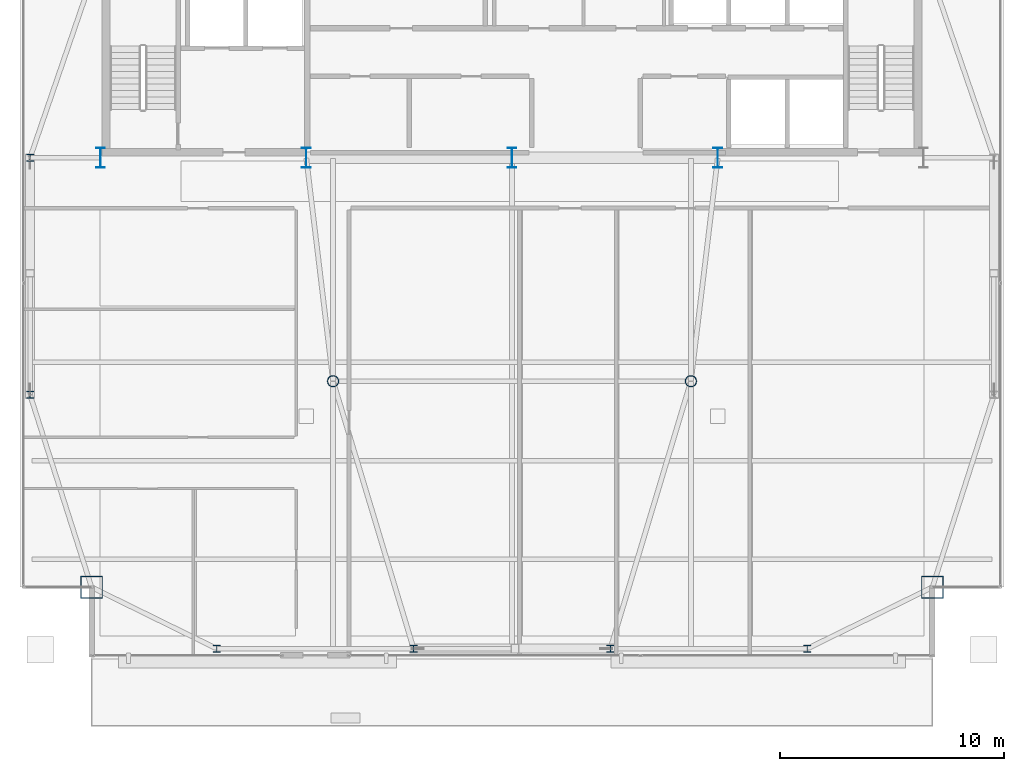
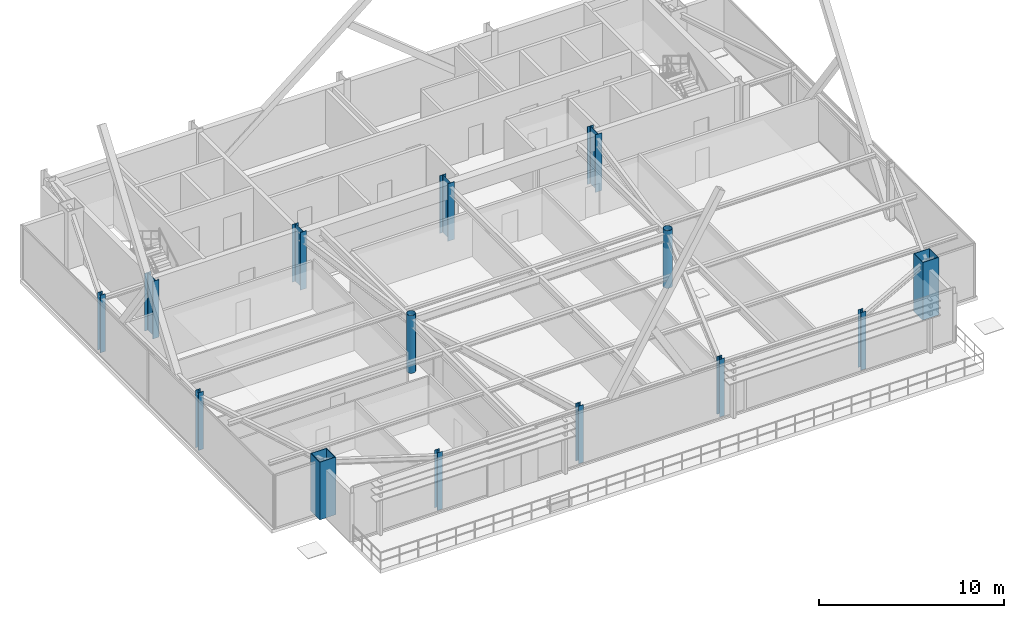
# One storey, part 1 of 25: 14 columns.
"""IFC4 building model written with IfcOpenShell, lengths in metres."""

import ifcopenshell
import ifcopenshell.guid

model = None  # the IFC model being written
_history = None  # IfcOwnerHistory: only IFC2X3 demands one
_inside = {}  # id of a spatial element -> (the spatial element, [elements in it])
_under = {}  # id of a project, library or spatial element -> (it, [spatial elements below it])
_declared = {}  # id of a project -> (the project, [libraries it declares])
_typed = {}  # id of a type object -> (the type object, [elements of that type])
_made_of = {}  # id of a material, layer set ... -> (it, [elements and type objects made of it])


def new_model(schema):
    """Start an empty IFC model of exactly this schema.

    Asked for "IFC4X3", IfcOpenShell would pick the latest addendum, in which some entities
    have other attributes; the version numbers below select the first issue.
    IFC2X3 requires an IfcOwnerHistory on every rooted entity: one is made here for all.
    """
    global model, _history
    if schema == "IFC4X3":
        model = ifcopenshell.file(schema_version=(4, 3, 0, 0))
    else:
        model = ifcopenshell.file(schema=schema)
    _inside.clear()
    _under.clear()
    _declared.clear()
    _typed.clear()
    _made_of.clear()
    _history = None
    if model.schema == "IFC2X3":
        org = make("IfcOrganization", Name="unknown")
        user = make(
            "IfcPersonAndOrganization",
            ThePerson=make("IfcPerson", FamilyName="unknown"),
            TheOrganization=org,
        )
        app = make(
            "IfcApplication",
            ApplicationDeveloper=org,
            Version="unknown",
            ApplicationFullName="unknown",
            ApplicationIdentifier="unknown",
        )
        _history = make(
            "IfcOwnerHistory",
            OwningUser=user,
            OwningApplication=app,
            ChangeAction="ADDED",
            CreationDate=0,
        )
    return model


def make(cls, **values):
    """One entity of the class cls with the attributes given. An attribute that is None is left unset."""
    return model.create_entity(
        cls, **{name: value for name, value in values.items() if value is not None}
    )


def rooted(cls, **values):
    """An entity with a GlobalId (a new one), such as an element, a storey or a relation."""
    return make(cls, GlobalId=ifcopenshell.guid.new(), OwnerHistory=_history, **values)


def si_unit(unit_type, name, prefix=None):
    """IfcSIUnit, for example si_unit("LENGTHUNIT", "METRE", prefix="MILLI")."""
    return make("IfcSIUnit", UnitType=unit_type, Prefix=prefix, Name=name)


def assignment(units):
    """IfcUnitAssignment: the units of a project."""
    return None if units is None else make("IfcUnitAssignment", Units=units)


def point(xyz):
    """IfcCartesianPoint."""
    return None if xyz is None else make("IfcCartesianPoint", Coordinates=xyz)


def direction(xyz):
    """IfcDirection."""
    return None if xyz is None else make("IfcDirection", DirectionRatios=xyz)


def frame(location, z_axis=None, x_axis=None):
    """IfcAxis2Placement3D, a coordinate frame: its origin and axes. An axis left out is left unset."""
    return make(
        "IfcAxis2Placement3D",
        Location=point(location),
        Axis=direction(z_axis),
        RefDirection=direction(x_axis),
    )


def frame_2d(location, x_axis=None):
    """IfcAxis2Placement2D, a coordinate frame in the plane: its origin and x axis."""
    return make(
        "IfcAxis2Placement2D", Location=point(location), RefDirection=direction(x_axis)
    )


def origin():
    """The frame at (0, 0, 0) with its axes left unset."""
    return frame((0.0, 0.0, 0.0))


def origin_2d():
    """The frame at (0, 0) in the plane with its x axis left unset."""
    return frame_2d((0.0, 0.0))


def place(relative_to, where):
    """IfcLocalPlacement: puts the frame where relative to a parent placement (None: the world)."""
    return make(
        "IfcLocalPlacement", PlacementRelTo=relative_to, RelativePlacement=where
    )


def context(
    kind, dimensions, precision=None, world=None, true_north=None, identifier=None
):
    """IfcGeometricRepresentationContext, for example the 3D "Model" context."""
    return make(
        "IfcGeometricRepresentationContext",
        ContextIdentifier=identifier,
        ContextType=kind,
        CoordinateSpaceDimension=dimensions,
        Precision=precision,
        WorldCoordinateSystem=world,
        TrueNorth=true_north,
    )


def subcontext(parent, identifier, kind, view, scale=None):
    """IfcGeometricRepresentationSubContext, for example "Body" below "Model"."""
    return make(
        "IfcGeometricRepresentationSubContext",
        ContextIdentifier=identifier,
        ContextType=kind,
        ParentContext=parent,
        TargetScale=scale,
        TargetView=view,
    )


def project(units=None, contexts=None):
    """IfcProject with its units and contexts."""
    return rooted(
        "IfcProject",
        Name="project",
        RepresentationContexts=contexts,
        UnitsInContext=assignment(units),
    )


def spatial(cls, under=None, at=None, **own):
    """A site, building, storey or space (cls), placed at a placement, below another one or the project."""
    s = rooted(cls, ObjectPlacement=at, **own)
    if under is not None:
        _under.setdefault(under.id(), (under, []))[1].append(s)
    return s


def profile(cls, at=None, kind="AREA", **sizes):
    """A parametric profile (cls). Its sizes go by their IFC names, for example OverallWidth=200.0."""
    return make(cls, ProfileType=kind, Position=at, **sizes)


def hollow_rectangle(**sizes):
    """IfcRectangleHollowProfileDef."""
    return profile("IfcRectangleHollowProfileDef", **sizes)


def hollow_circle(**sizes):
    """IfcCircleHollowProfileDef."""
    return profile("IfcCircleHollowProfileDef", **sizes)


def i_section(**sizes):
    """IfcIShapeProfileDef."""
    return profile("IfcIShapeProfileDef", **sizes)


def extrude(swept, where, along, depth):
    """IfcExtrudedAreaSolid: the profile swept, set in the frame where, extruded along a direction by depth."""
    return make(
        "IfcExtrudedAreaSolid",
        SweptArea=swept,
        Position=where,
        ExtrudedDirection=direction(along),
        Depth=depth,
    )


def shape(context_of_items, identifier, shape_type, items):
    """IfcShapeRepresentation: the items that make up one representation, for example the "Body"."""
    return make(
        "IfcShapeRepresentation",
        ContextOfItems=context_of_items,
        RepresentationIdentifier=identifier,
        RepresentationType=shape_type,
        Items=items,
    )


def source(mapping_origin, context_of_items, identifier, shape_type, items):
    """IfcRepresentationMap: a shape defined once, which mapped items show again and again."""
    return make(
        "IfcRepresentationMap",
        MappingOrigin=mapping_origin,
        MappedRepresentation=shape(context_of_items, identifier, shape_type, items),
    )


def transform(
    local_origin,
    x_axis=None,
    y_axis=None,
    z_axis=None,
    scale=None,
    scale2=None,
    scale3=None,
    uniform=True,
):
    """IfcCartesianTransformationOperator3D, or its non-uniform kind. x_axis, y_axis, z_axis: its Axis1, 2, 3."""
    if uniform:
        return make(
            "IfcCartesianTransformationOperator3D",
            Axis1=direction(x_axis),
            Axis2=direction(y_axis),
            LocalOrigin=point(local_origin),
            Scale=scale,
            Axis3=direction(z_axis),
        )
    return make(
        "IfcCartesianTransformationOperator3DnonUniform",
        Axis1=direction(x_axis),
        Axis2=direction(y_axis),
        LocalOrigin=point(local_origin),
        Scale=scale,
        Axis3=direction(z_axis),
        Scale2=scale2,
        Scale3=scale3,
    )


def mapped(mapping_source, mapping_target):
    """IfcMappedItem: shows the shape of a source again, moved by a transform."""
    return make(
        "IfcMappedItem", MappingSource=mapping_source, MappingTarget=mapping_target
    )


def material(Name=None, Category=None):
    """IfcMaterial."""
    return make("IfcMaterial", Name=Name, Category=Category)


def material_profile(
    of_material, cross_section, Name=None, Category=None, Priority=None
):
    """IfcMaterialProfile: a cross section and its material."""
    return make(
        "IfcMaterialProfile",
        Name=Name,
        Material=of_material,
        Profile=cross_section,
        Priority=Priority,
        Category=Category,
    )


def profile_set(profiles, Name=None, composite=None):
    """IfcMaterialProfileSet."""
    return make(
        "IfcMaterialProfileSet",
        Name=Name,
        MaterialProfiles=profiles,
        CompositeProfile=composite,
    )


def made_of(thing, what):
    """Note that an element or type object is made of a material, layer set ...; save() writes the relation."""
    if what is not None:
        _made_of.setdefault(what.id(), (what, []))[1].append(thing)
    return thing


def type_object(cls, material=None, **own):
    """A type object (cls), such as IfcWallType, which elements share."""
    return made_of(rooted(cls, **own), material)


def type_shapes(of_type, sources):
    """Give a type object the sources (RepresentationMaps) that its elements show as mapped items."""
    of_type.RepresentationMaps = sources


def element(
    cls,
    number,
    at=None,
    inside=None,
    cuts=None,
    type_object=None,
    material=None,
    context=None,
    identifier="Body",
    shape_type=None,
    held_by="IfcProductDefinitionShape",
    body=None,
    shapes=None,
    **own,
):
    """One element of the class cls, such as IfcWall. Its Tag is "e" and its number.

    at: its placement. inside: the storey or other place that contains it. cuts: it is an
    opening in that element (IfcRelVoidsElement). A single representation is given by context,
    identifier, shape_type and body (its items); several are given by shapes. held_by: the class
    of the entity that holds the representations. save() writes the other relations.
    """
    e = rooted(cls, Tag="e%d" % number, ObjectPlacement=at, **own)
    if body is not None:
        shapes = [shape(context, identifier, shape_type, body)]
    if shapes is not None:
        e.Representation = make(held_by, Representations=shapes)
    if inside is not None:
        _inside.setdefault(inside.id(), (inside, []))[1].append(e)
    if cuts is not None:
        rooted(
            "IfcRelVoidsElement", RelatingBuildingElement=cuts, RelatedOpeningElement=e
        )
    if type_object is not None:
        _typed.setdefault(type_object.id(), (type_object, []))[1].append(e)
    return made_of(e, material)


def aggregate(whole, parts):
    """IfcRelAggregates: a whole, such as a stair, and the parts it consists of."""
    return rooted("IfcRelAggregates", RelatingObject=whole, RelatedObjects=parts)


def save(model, path):
    """Write the relations noted so far, then the file.

    IfcRelAggregates (storeys below a building ...), IfcRelContainedInSpatialStructure (elements
    in a storey), IfcRelDefinesByType, IfcRelAssociatesMaterial and IfcRelDeclares: one each for
    every whole, place, type object, material and project.
    """
    for whole, parts in _under.values():
        aggregate(whole, parts)
    for where, things in _inside.values():
        rooted(
            "IfcRelContainedInSpatialStructure",
            RelatedElements=things,
            RelatingStructure=where,
        )
    for kind, things in _typed.values():
        rooted("IfcRelDefinesByType", RelatedObjects=things, RelatingType=kind)
    for what, things in _made_of.values():
        rooted("IfcRelAssociatesMaterial", RelatedObjects=things, RelatingMaterial=what)
    for by, libraries in _declared.values():
        rooted("IfcRelDeclares", RelatingContext=by, RelatedDefinitions=libraries)
    model.write(path)


model = new_model("IFC4")

# Units and contexts
model_context = context("Model", 3, precision=1e-05, world=origin(), true_north=direction((0.0, 1.0)))
body_context = subcontext(model_context, "Body", "Model", "MODEL_VIEW")
ifc_project = project(units=[si_unit("LENGTHUNIT", "METRE"), si_unit("AREAUNIT", "SQUARE_METRE"), si_unit("VOLUMEUNIT", "CUBIC_METRE"), si_unit("PLANEANGLEUNIT", "RADIAN"), si_unit("MASSUNIT", "GRAM", prefix="KILO")], contexts=[model_context])

# Site, building, storey
site_placement = place(None, origin())
site = spatial("IfcSite", under=ifc_project, at=site_placement, CompositionType="ELEMENT")
building_placement = place(site_placement, origin())
building = spatial("IfcBuilding", under=site, at=building_placement, Name="Varnel Quay Broadcast Tower", CompositionType="ELEMENT")
storey_placement = place(building_placement, frame((0.0, 0.0, 258.39990234375)))
storey = spatial("IfcBuildingStorey", under=building, at=storey_placement, Name="L64", CompositionType="ELEMENT", Elevation=258.39990234375)

# Columns
ifc_material_1 = material(Name="Structural Steel CSA G40.21 350WT", Category="steel")
ifc_material_profile_1 = material_profile(ifc_material_1, i_section(OverallWidth=0.39990234375, OverallDepth=0.89990234375, WebThickness=0.01611328125, FlangeThickness=0.028076171875, FilletRadius=0.01611328125, at=origin_2d()), Name="WWF900X309")
ifc_profile_set_1 = profile_set([ifc_material_profile_1], Name="Structural Steel CSA G40.21 350WT")
column_type_1 = type_object("IfcColumnType", Name="Col_WWF900X309", PredefinedType="COLUMN", material=ifc_profile_set_1)
shared_shape_1 = source(origin(), body_context, "Body", "SweptSolid", [
    extrude(i_section(OverallWidth=0.39990234375, OverallDepth=0.89990234375, WebThickness=0.01611328125, FlangeThickness=0.028076171875, FilletRadius=0.01611328125, at=origin_2d()), origin(), (0.0, 0.0, 1.0), 3.800048828125),
])
type_shapes(column_type_1, [shared_shape_1])
for number, where, z_axis, x_axis, name in (
    (1, (15.60009765625, 35.60009765625, 0.0), (0.0, 0.0, 1.0), (1.0, 0.0, 0.0), "L64 Column CC-S1"),
    (2, (24.800048828125, 35.60009765625, 0.0), (0.0, 0.0, 1.0), (1.0, 0.0, 0.0), "L64 Column CC-S2"),
    (3, (34.0, 35.60009765625, 0.0), (0.0, 0.0, 1.0), (1.0, 0.0, 0.0), "L64 Column CC-S3"),
    (4, (43.199951171875, 35.60009765625, 0.0), (0.0, 0.0, 1.0), (1.0, 0.0, 0.0), "L64 Column CC-S4"),
):
    element("IfcColumn", number, at=place(storey_placement, frame(where, z_axis=z_axis, x_axis=x_axis)), inside=storey, type_object=column_type_1, Name=name, PredefinedType="COLUMN", context=body_context, shape_type="MappedRepresentation", body=[
        mapped(shared_shape_1, transform((0.0, 0.0, 0.0), x_axis=(1.0, 0.0, 0.0), y_axis=(0.0, 1.0, 0.0), z_axis=(0.0, 0.0, 1.0), scale=1.0)),
    ])
ifc_material_profile_2 = material_profile(ifc_material_1, hollow_rectangle(XDim=1.0, YDim=1.0, WallThickness=0.0400390625, at=origin_2d()), Name="BOX1000X1000X40")
ifc_profile_set_2 = profile_set([ifc_material_profile_2], Name="Structural Steel CSA G40.21 350WT")
column_type_2 = type_object("IfcColumnType", Name="Col_BOX1000X1000X40", PredefinedType="COLUMN", material=ifc_profile_set_2)
shared_shape_2 = source(origin(), body_context, "Body", "SweptSolid", [
    extrude(hollow_rectangle(XDim=1.0, YDim=1.0, WallThickness=0.0400390625, at=origin_2d()), origin(), (0.0, 0.0, 1.0), 3.800048828125),
])
type_shapes(column_type_2, [shared_shape_2])
for number, where, z_axis, x_axis, name in (
    (5, (15.199951171875, 16.39990234375, 0.0), (0.0, 0.0, 1.0), (1.0, 0.0, 0.0), "L64 Column MC-SW"),
    (6, (52.800048828125, 16.39990234375, 0.0), (0.0, 0.0, 1.0), (1.0, 0.0, 0.0), "L64 Column MC-SE"),
):
    element("IfcColumn", number, at=place(storey_placement, frame(where, z_axis=z_axis, x_axis=x_axis)), inside=storey, type_object=column_type_2, Name=name, PredefinedType="COLUMN", context=body_context, shape_type="MappedRepresentation", body=[
        mapped(shared_shape_2, transform((0.0, 0.0, 0.0), x_axis=(1.0, 0.0, 0.0), y_axis=(0.0, 1.0, 0.0), z_axis=(0.0, 0.0, 1.0), scale=1.0)),
    ])
ifc_material_2 = material(Name="Structural Steel CSA G40.21 350W", Category="steel")
ifc_material_profile_3 = material_profile(ifc_material_2, i_section(OverallWidth=0.30908203125, OverallDepth=0.322998046875, WebThickness=0.013916015625, FlangeThickness=0.02294921875, FilletRadius=0.014892578125, at=origin_2d()), Name="W310X143")
ifc_profile_set_3 = profile_set([ifc_material_profile_3], Name="Structural Steel CSA G40.21 350W")
column_type_3 = type_object("IfcColumnType", Name="Col_W310X143", PredefinedType="COLUMN", material=ifc_profile_set_3)
shared_shape_3 = source(origin(), body_context, "Body", "SweptSolid", [
    extrude(i_section(OverallWidth=0.30908203125, OverallDepth=0.322998046875, WebThickness=0.013916015625, FlangeThickness=0.02294921875, FilletRadius=0.014892578125, at=origin_2d()), origin(), (0.0, 0.0, 1.0), 3.800048828125),
])
type_shapes(column_type_3, [shared_shape_3])
for number, where, z_axis, x_axis, name in (
    (7, (20.800048828125, 13.64990234375, 0.0), (0.0, 0.0, 1.0), (1.0, 0.0, 0.0), "L64 Column TC-S1"),
    (8, (29.60009765625, 13.64990234375, 0.0), (0.0, 0.0, 1.0), (1.0, 0.0, 0.0), "L64 Column TC-S2"),
    (9, (38.39990234375, 13.64990234375, 0.0), (0.0, 0.0, 1.0), (1.0, 0.0, 0.0), "L64 Column TC-S3"),
    (10, (47.199951171875, 13.64990234375, 0.0), (0.0, 0.0, 1.0), (1.0, 0.0, 0.0), "L64 Column TC-S4"),
    (11, (12.449951171875, 25.0, 0.0), (0.0, 0.0, 1.0), (1.0, 0.0, 0.0), "L64 Column TC-W1"),
    (12, (12.449951171875, 35.60009765625, 0.0), (0.0, 0.0, 1.0), (1.0, 0.0, 0.0), "L64 Column TC-W2"),
):
    element("IfcColumn", number, at=place(storey_placement, frame(where, z_axis=z_axis, x_axis=x_axis)), inside=storey, type_object=column_type_3, Name=name, PredefinedType="COLUMN", context=body_context, shape_type="MappedRepresentation", body=[
        mapped(shared_shape_3, transform((0.0, 0.0, 0.0), x_axis=(1.0, 0.0, 0.0), y_axis=(0.0, 1.0, 0.0), z_axis=(0.0, 0.0, 1.0), scale=1.0)),
    ])
ifc_material_profile_4 = material_profile(ifc_material_2, hollow_circle(Radius=0.25390625, WallThickness=0.02001953125, at=origin_2d()), Name="CHS508X20")
ifc_profile_set_4 = profile_set([ifc_material_profile_4], Name="Structural Steel CSA G40.21 350W")
column_type_4 = type_object("IfcColumnType", Name="Col_CHS508X20", PredefinedType="COLUMN", material=ifc_profile_set_4)
shared_shape_4 = source(origin(), body_context, "Body", "SweptSolid", [
    extrude(hollow_circle(Radius=0.25390625, WallThickness=0.02001953125, at=origin_2d()), origin(), (0.0, 0.0, 1.0), 3.800048828125),
])
type_shapes(column_type_4, [shared_shape_4])
for number, where, z_axis, x_axis, name in (
    (13, (26.0, 25.610107421875, 0.0), (0.0, 0.0, 1.0), (1.0, 0.0, 0.0), "L64 Column IC-01"),
    (14, (42.0, 25.610107421875, 0.0), (0.0, 0.0, 1.0), (1.0, 0.0, 0.0), "L64 Column IC-02"),
):
    element("IfcColumn", number, at=place(storey_placement, frame(where, z_axis=z_axis, x_axis=x_axis)), inside=storey, type_object=column_type_4, Name=name, PredefinedType="COLUMN", context=body_context, shape_type="MappedRepresentation", body=[
        mapped(shared_shape_4, transform((0.0, 0.0, 0.0), x_axis=(1.0, 0.0, 0.0), y_axis=(0.0, 1.0, 0.0), z_axis=(0.0, 0.0, 1.0), scale=1.0)),
    ])

save(model, "model.ifc")
